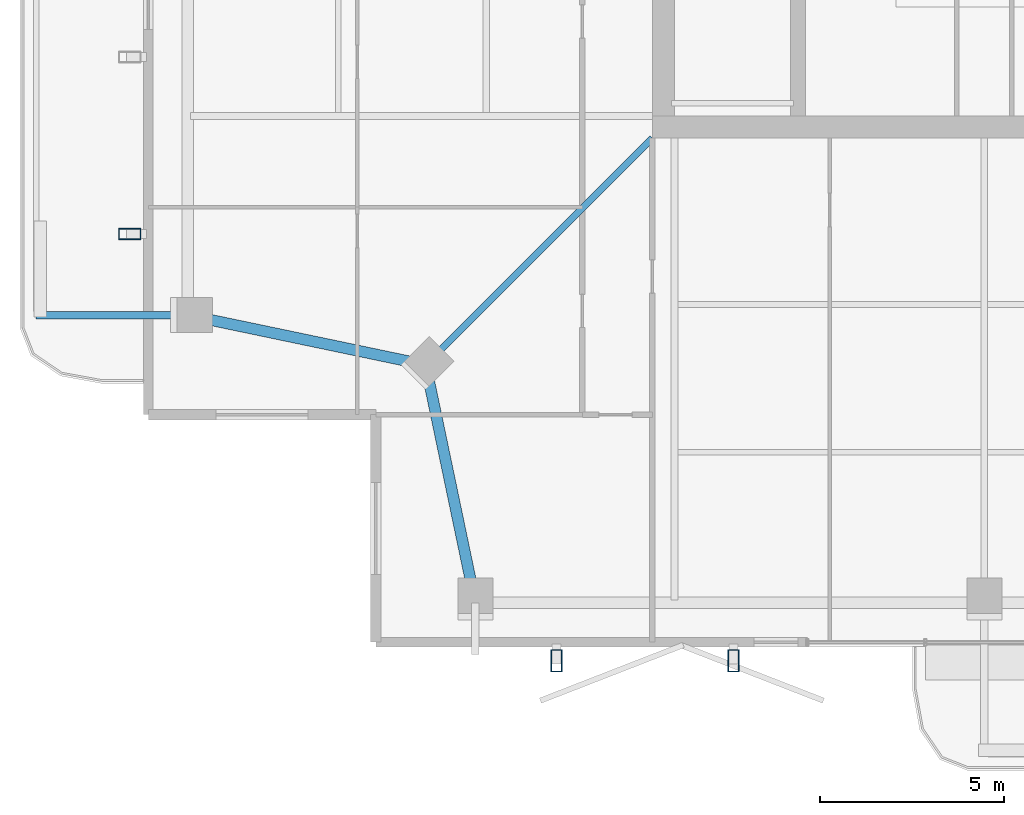
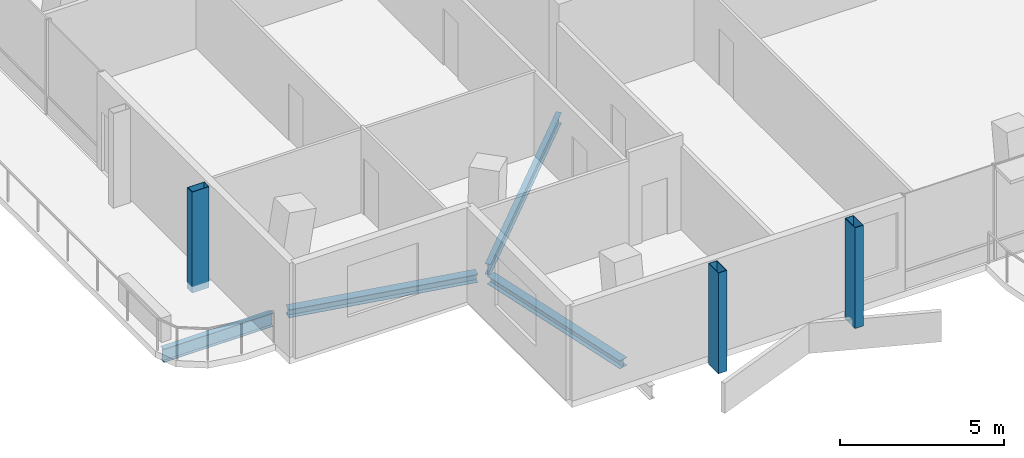
# One storey, part 2 of 20: 4 beams, 3 members.
"""IFC4 building model written with IfcOpenShell, lengths in metres."""

from ifc_helpers import new_model, si_unit, direction, frame, origin, origin_2d, place, context, subcontext, project, spatial, hollow_rectangle, i_section, extrude, material, material_profile, profile_set, type_object, element, save


model = new_model("IFC4")

# Units and contexts
model_context = context("Model", 3, precision=1e-05, world=origin(), true_north=direction((0.0, 1.0)))
body_context = subcontext(model_context, "Body", "Model", "MODEL_VIEW")
ifc_project = project(units=[si_unit("LENGTHUNIT", "METRE"), si_unit("AREAUNIT", "SQUARE_METRE"), si_unit("VOLUMEUNIT", "CUBIC_METRE"), si_unit("PLANEANGLEUNIT", "RADIAN"), si_unit("MASSUNIT", "GRAM", prefix="KILO")], contexts=[model_context])

# Site, building, storey
site_placement = place(None, origin())
site = spatial("IfcSite", under=ifc_project, at=site_placement, CompositionType="ELEMENT")
building_placement = place(site_placement, origin())
building = spatial("IfcBuilding", under=site, at=building_placement, Name="Belovzor Exchange Tower", CompositionType="ELEMENT")
storey_placement = place(building_placement, frame((0.0, 0.0, 329.25)))
storey = spatial("IfcBuildingStorey", under=building, at=storey_placement, Name="L82", CompositionType="ELEMENT", Elevation=329.25)

# Beam
ifc_material_1 = material(Name="Steel S355", Category="steel")
ifc_material_profile_1 = material_profile(ifc_material_1, i_section(OverallWidth=0.199951171875, OverallDepth=0.5, WebThickness=0.01025390625, FlangeThickness=0.01611328125, at=origin_2d()))
ifc_profile_set_1 = profile_set([ifc_material_profile_1], Name="Steel S355")
beam_type_1 = type_object("IfcBeamType", Name="Planted Balcony Cantilever Beam IPE 500", PredefinedType="BEAM", material=ifc_profile_set_1)
beam_1_placement = place(storey_placement, frame((6.93896484375, 15.0, -0.489990234375), z_axis=(-1.0, 0.0, 0.0), x_axis=(0.0, -1.0, 0.0)))
element("IfcBeam", 1, at=beam_1_placement, inside=storey, type_object=beam_type_1, Name="BC-500 Planted Balcony Cantilever Beam IPE 500", PredefinedType="BEAM", context=body_context, shape_type="SweptSolid", body=[
    extrude(i_section(OverallWidth=0.199951171875, OverallDepth=0.5, WebThickness=0.01025390625, FlangeThickness=0.01611328125, at=origin_2d()), origin(), (0.0, 0.0, 1.0), 3.849853515625),
])

# Members
ifc_material_2 = material(Name="Extruded Architectural Terracotta on Steel S355 Carrier", Category="masonry")
ifc_material_profile_2 = material_profile(ifc_material_2, hollow_rectangle(XDim=0.300048828125, YDim=0.60009765625, WallThickness=0.01611328125, at=origin_2d()))
ifc_profile_set_2 = profile_set([ifc_material_profile_2], Name="Extruded Architectural Terracotta on Steel S355 Carrier")
member_type = type_object("IfcMemberType", Name="Upper Crown Terracotta Fin Assembly 550", PredefinedType="USERDEFINED", material=ifc_profile_set_2)
for number, where, z_axis, x_axis, name in (
    (2, (17.199951171875, 5.625, -0.239990234375), (0.0, 0.0, 1.0), (1.0, 0.0, 0.0), "FIN-TC055 Terracotta Facade Fin L82 S1"),
    (3, (5.625, 17.199951171875, -0.239990234375), (0.0, 0.0, 1.0), (0.0, 1.0, 0.0), "FIN-TC055 Terracotta Facade Fin L82 W1"),
    (4, (22.0, 5.625, -0.239990234375), (0.0, 0.0, 1.0), (1.0, 0.0, 0.0), "FIN-TC055 Terracotta Facade Fin L82 S2"),
):
    element("IfcMember", number, at=place(storey_placement, frame(where, z_axis=z_axis, x_axis=x_axis)), inside=storey, type_object=member_type, Name=name, ObjectType="FIN", PredefinedType="USERDEFINED", context=body_context, shape_type="SweptSolid", body=[
        extrude(hollow_rectangle(XDim=0.300048828125, YDim=0.60009765625, WallThickness=0.01611328125, at=origin_2d()), origin(), (0.0, 0.0, 1.0), 3.75),
    ])

# Beams
ifc_material_3 = material(Name="Steel S355", Category="steel")
ifc_material_profile_3 = material_profile(ifc_material_3, i_section(OverallWidth=0.179931640625, OverallDepth=0.39990234375, WebThickness=0.008544921875, FlangeThickness=0.013427734375, at=origin_2d()))
ifc_profile_set_3 = profile_set([ifc_material_profile_3], Name="Steel S355")
beam_type_2 = type_object("IfcBeamType", Name="Zone 5-6 Radial Composite Floor Beam IPE 400", PredefinedType="BEAM", material=ifc_profile_set_3)
beam_2_placement = place(storey_placement, frame((19.800048828125, 19.800048828125, -0.43994140625), z_axis=(-0.707106781187, -0.707106781187, 0.0), x_axis=(0.707106781187, -0.707106781187, 0.0)))
element("IfcBeam", 5, at=beam_2_placement, inside=storey, type_object=beam_type_2, Name="FB-400 Zone 5-6 Radial Composite Floor Beam IPE 400", PredefinedType="BEAM", context=body_context, shape_type="SweptSolid", body=[
    extrude(i_section(OverallWidth=0.179931640625, OverallDepth=0.39990234375, WebThickness=0.008544921875, FlangeThickness=0.013427734375, at=origin_2d()), origin(), (0.0, 0.0, 1.0), 8.361083984375),
])
ifc_material_4 = material(Name="Steel S355", Category="steel")
ifc_material_profile_4 = material_profile(ifc_material_4, i_section(OverallWidth=0.300048828125, OverallDepth=0.300048828125, WebThickness=0.008544921875, FlangeThickness=0.013916015625, at=origin_2d()))
ifc_profile_set_4 = profile_set([ifc_material_profile_4], Name="Steel S355")
beam_type_3 = type_object("IfcBeamType", Name="Zone 6 Primary Girder HEA 300", PredefinedType="BEAM", material=ifc_profile_set_4)
for number, where, z_axis, x_axis, name in (
    (6, (13.7041015625, 13.39404296875, -0.389892578125), (0.204722380619, -0.978820078908, 0.0), (0.978820078908, 0.204722380619, 0.0), "FG-Z6 Zone 6 Primary Girder HEA 300"),
    (7, (7.4560546875, 14.946044921875, -0.389892578125), (0.978820078908, -0.204722380619, 0.0), (0.204722380619, 0.978820078908, 0.0), "FG-Z6 Zone 6 Primary Girder HEA 300"),
):
    element("IfcBeam", number, at=place(storey_placement, frame(where, z_axis=z_axis, x_axis=x_axis)), inside=storey, type_object=beam_type_3, Name=name, PredefinedType="BEAM", context=body_context, shape_type="SweptSolid", body=[
        extrude(i_section(OverallWidth=0.300048828125, OverallDepth=0.300048828125, WebThickness=0.008544921875, FlangeThickness=0.013916015625, at=origin_2d()), origin(), (0.0, 0.0, 1.0), 6.06640625),
    ])

save(model, "model.ifc")
